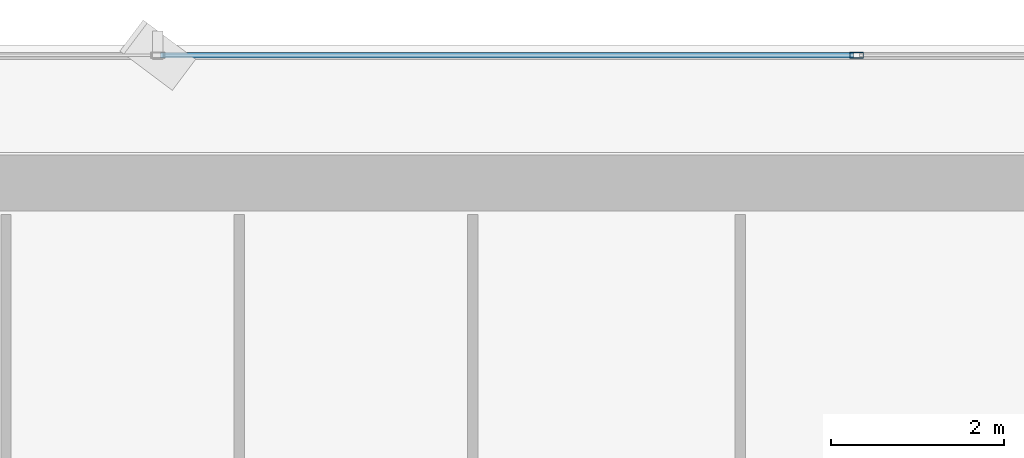
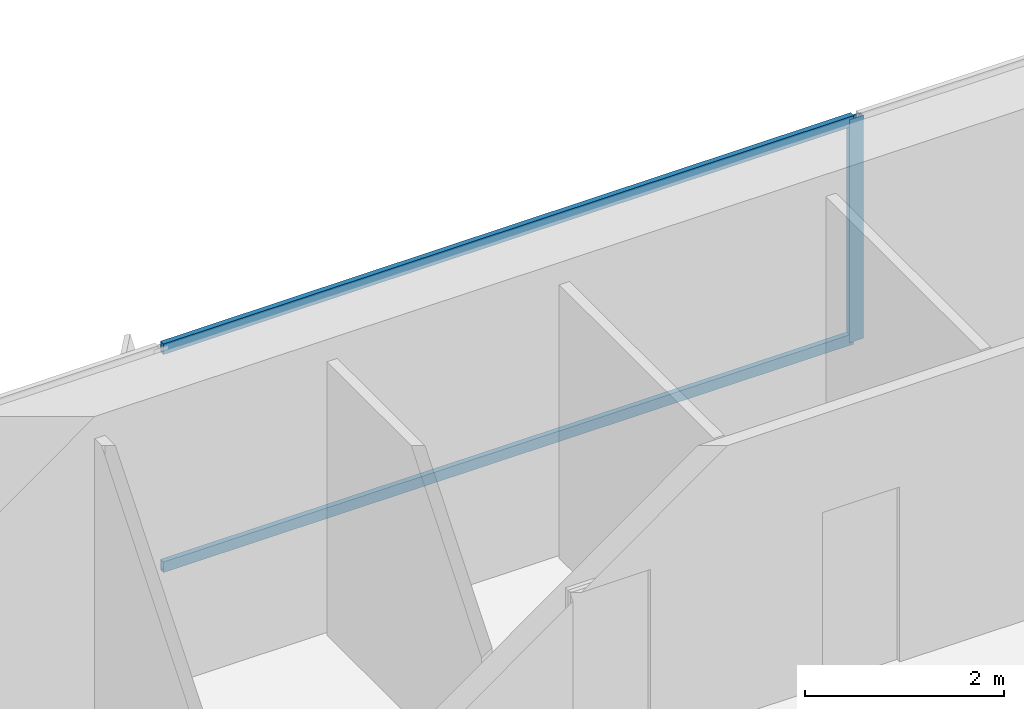
# One storey, part 22 of 36: 3 members, 1 element without a shape of its own.
"""IFC4 building model written with IfcOpenShell, lengths in metres."""

from ifc_helpers import new_model, si_unit, direction, frame, origin, origin_2d, place, context, subcontext, project, spatial, hollow_rectangle, extrude, source, transform, mapped, material, layer, layer_set, material_profile, profile_set, type_object, element, aggregate, save


model = new_model("IFC4")

# Units and contexts
model_context = context("Model", 3, precision=1e-05, world=origin(), true_north=direction((0.0, 1.0)))
body_context = subcontext(model_context, "Body", "Model", "MODEL_VIEW")
ifc_project = project(units=[si_unit("LENGTHUNIT", "METRE"), si_unit("AREAUNIT", "SQUARE_METRE"), si_unit("VOLUMEUNIT", "CUBIC_METRE"), si_unit("PLANEANGLEUNIT", "RADIAN"), si_unit("MASSUNIT", "GRAM", prefix="KILO")], contexts=[model_context])

# Site, building, storey
site_placement = place(None, origin())
site = spatial("IfcSite", under=ifc_project, at=site_placement, CompositionType="ELEMENT")
building_placement = place(site_placement, origin())
building = spatial("IfcBuilding", under=site, at=building_placement, Name="Sumidabori Civic Tower", CompositionType="ELEMENT")
storey_placement = place(building_placement, frame((0.0, 0.0, 92.0)))
storey = spatial("IfcBuildingStorey", under=building, at=storey_placement, Name="L23", CompositionType="ELEMENT", Elevation=92.0)

# Curtain wall, members
ifc_material = material(Name="Anodised Bronze Aluminium AW-6063-T6", Category="aluminium")
ifc_layer = layer(ifc_material, 0.179931640625, Name="Anodised Bronze Aluminium AW-6063-T6")
ifc_layer_set = layer_set([ifc_layer], Name="Anodised Bronze Aluminium AW-6063-T6")
curtain_wall_type = type_object("IfcCurtainWallType", Name="CW-SYS-3", PredefinedType="NOTDEFINED", material=ifc_layer_set)
curtain_wall_placement = place(storey_placement, origin())
curtain_wall = element("IfcCurtainWall", 1, at=curtain_wall_placement, inside=storey, type_object=curtain_wall_type, Name="Curtain Wall CW:L23:R07", PredefinedType="NOTDEFINED")
ifc_material_profile_1 = material_profile(ifc_material, hollow_rectangle(XDim=0.06494140625, YDim=0.159912109375, WallThickness=0.0048828125, at=origin_2d()), Name="ALU MULLION 160x65")
ifc_profile_set_1 = profile_set([ifc_material_profile_1], Name="Anodised Bronze Aluminium AW-6063-T6")
member_type_1 = type_object("IfcMemberType", Name="CW-MUL-160", PredefinedType="MULLION", material=ifc_profile_set_1)
shared_shape_1 = source(origin(), body_context, "Body", "SweptSolid", [
    extrude(hollow_rectangle(XDim=0.06494140625, YDim=0.159912109375, WallThickness=0.0048828125, at=origin_2d()), origin(), (0.0, 0.0, 1.0), 2.739990234375),
])
member_1_placement = place(storey_placement, frame((4.0439453125, 25.280029296875, 0.0), z_axis=(0.0, 0.0, 1.0), x_axis=(0.0, -1.0, 0.0)))
member_1 = element("IfcMember", 2, at=member_1_placement, type_object=member_type_1, Name="CW-3 mullion 3", PredefinedType="MULLION", context=body_context, shape_type="MappedRepresentation", body=[
    mapped(shared_shape_1, transform((0.0, 0.0, 0.0), x_axis=(1.0, 0.0, 0.0), y_axis=(0.0, 1.0, 0.0), z_axis=(0.0, 0.0, 1.0), scale=1.0)),
])
ifc_material_profile_2 = material_profile(ifc_material, hollow_rectangle(XDim=0.06005859375, YDim=0.1298828125, WallThickness=0.0048828125, at=origin_2d()), Name="ALU TRANSOM 130x60")
ifc_profile_set_2 = profile_set([ifc_material_profile_2], Name="Anodised Bronze Aluminium AW-6063-T6")
member_type_2 = type_object("IfcMemberType", Name="CW-TRN-130", PredefinedType="USERDEFINED", material=ifc_profile_set_2)
shared_shape_2 = source(origin(), body_context, "Body", "SweptSolid", [
    extrude(hollow_rectangle(XDim=0.06005859375, YDim=0.1298828125, WallThickness=0.0048828125, at=origin_2d()), origin(), (0.0, 0.0, 1.0), 8.02294921875),
])
member_2_placement = place(storey_placement, frame((4.011474609375, 25.280029296875, 0.030029296875), z_axis=(-1.0, 0.0, 0.0), x_axis=(0.0, -1.0, 0.0)))
member_2 = element("IfcMember", 3, at=member_2_placement, type_object=member_type_2, Name="CW-3 transom 3.1", ObjectType="TRANSOM", PredefinedType="USERDEFINED", context=body_context, shape_type="MappedRepresentation", body=[
    mapped(shared_shape_2, transform((0.0, 0.0, 0.0), x_axis=(1.0, 0.0, 0.0), y_axis=(0.0, 1.0, 0.0), z_axis=(0.0, 0.0, 1.0), scale=1.0)),
])
member_3_placement = place(storey_placement, frame((4.011474609375, 25.280029296875, 2.7099609375), z_axis=(-1.0, 0.0, 0.0), x_axis=(0.0, -1.0, 0.0)))
member_3 = element("IfcMember", 4, at=member_3_placement, type_object=member_type_2, Name="CW-3 transom 3.2", ObjectType="TRANSOM", PredefinedType="USERDEFINED", context=body_context, shape_type="MappedRepresentation", body=[
    mapped(shared_shape_2, transform((0.0, 0.0, 0.0), x_axis=(1.0, 0.0, 0.0), y_axis=(0.0, 1.0, 0.0), z_axis=(0.0, 0.0, 1.0), scale=1.0)),
])
aggregate(curtain_wall, [member_1, member_2, member_3])

save(model, "model.ifc")
